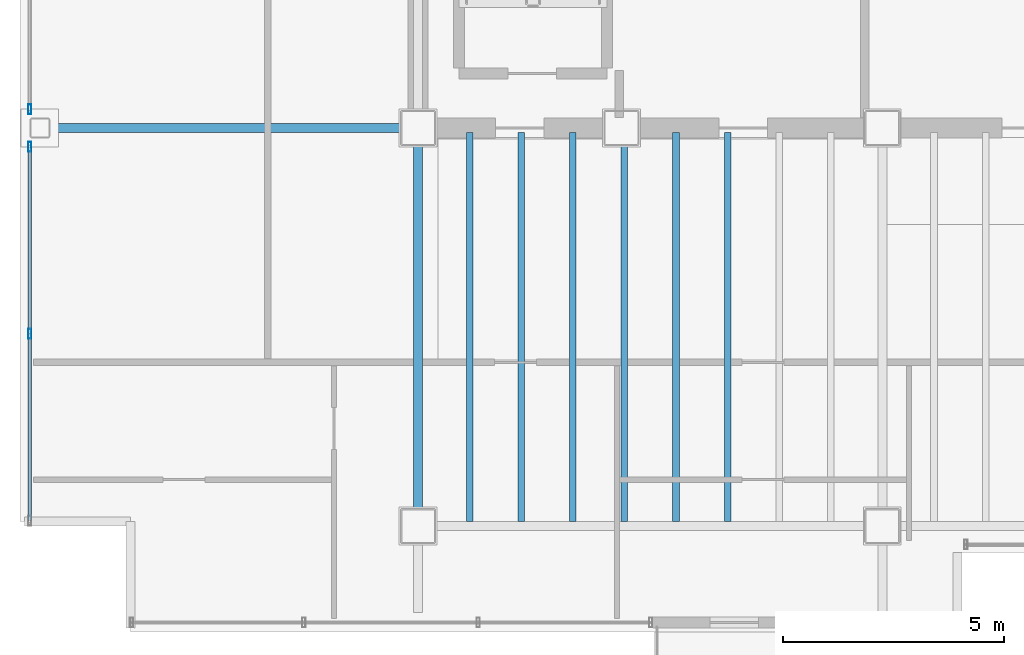
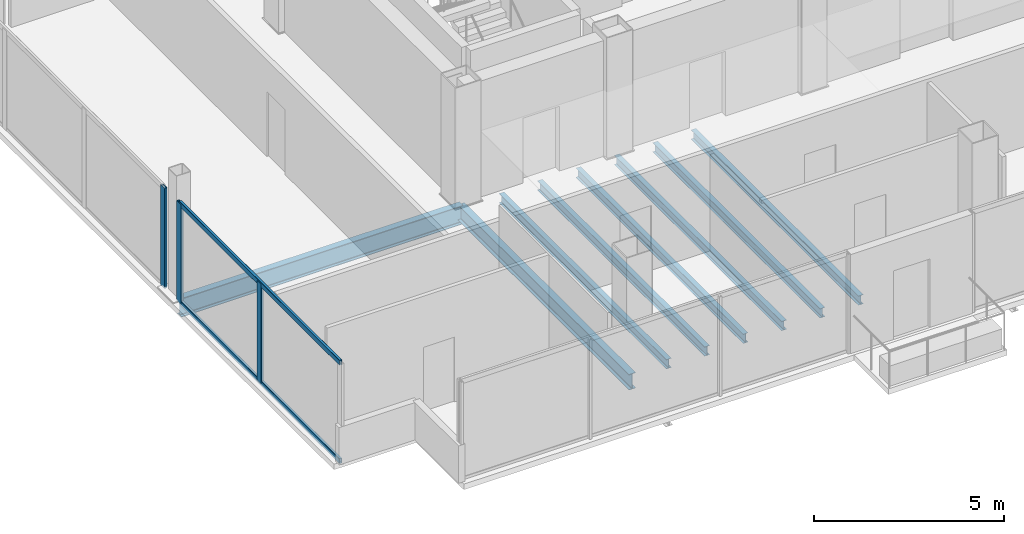
# One storey, part 3 of 16: 8 beams, 5 members, 2 elements without a shape of their own.
"""IFC4 building model written with IfcOpenShell, lengths in metres."""

from ifc_helpers import new_model, si_unit, direction, frame, origin, origin_2d, place, context, subcontext, project, spatial, hollow_rectangle, i_section, extrude, material, material_profile, profile_set, type_object, element, aggregate, save


model = new_model("IFC4")

# Units and contexts
model_context = context("Model", 3, precision=1e-05, world=origin(), true_north=direction((0.0, 1.0)))
body_context = subcontext(model_context, "Body", "Model", "MODEL_VIEW")
ifc_project = project(units=[si_unit("LENGTHUNIT", "METRE"), si_unit("AREAUNIT", "SQUARE_METRE"), si_unit("VOLUMEUNIT", "CUBIC_METRE"), si_unit("PLANEANGLEUNIT", "RADIAN"), si_unit("MASSUNIT", "GRAM", prefix="KILO")], contexts=[model_context])

# Site, building, storey
site_placement = place(None, origin())
site = spatial("IfcSite", under=ifc_project, at=site_placement, CompositionType="ELEMENT")
building_placement = place(site_placement, origin())
building = spatial("IfcBuilding", under=site, at=building_placement, Name="Noeulbin Bourse Tower", CompositionType="ELEMENT")
storey_placement = place(building_placement, frame((0.0, 0.0, 269.60009765625)))
storey = spatial("IfcBuildingStorey", under=building, at=storey_placement, Name="L67", CompositionType="ELEMENT", Elevation=269.60009765625)

# Beams
ifc_material_1 = material(Name="Steel S355", Category="steel")
ifc_material_profile_1 = material_profile(ifc_material_1, i_section(OverallWidth=0.199951171875, OverallDepth=0.5, WebThickness=0.010009765625, FlangeThickness=0.01611328125, FilletRadius=0.02001953125, at=origin_2d()), Name="H-500x200x10x16", Category="LoadBearing")
ifc_profile_set_1 = profile_set([ifc_material_profile_1], Name="Steel S355")
beam_type_1 = type_object("IfcBeamType", Name="BM-GRD-500", PredefinedType="USERDEFINED", material=ifc_profile_set_1)
beam_1_placement = place(storey_placement, frame((13.5, 20.0, -0.43017578125), z_axis=(0.0, 1.0, 0.0), x_axis=(-1.0, 0.0, 0.0)))
element("IfcBeam", 1, at=beam_1_placement, inside=storey, type_object=beam_type_1, Name="Tower Primary Girder NS L67-1.2", ObjectType="GIRDER", PredefinedType="USERDEFINED", context=body_context, shape_type="SweptSolid", body=[
    extrude(i_section(OverallWidth=0.199951171875, OverallDepth=0.5, WebThickness=0.010009765625, FlangeThickness=0.01611328125, FilletRadius=0.02001953125, at=origin_2d()), origin(), (0.0, 0.0, 1.0), 9.0),
])
ifc_material_profile_2 = material_profile(ifc_material_1, i_section(OverallWidth=0.199951171875, OverallDepth=0.60009765625, WebThickness=0.010986328125, FlangeThickness=0.01708984375, FilletRadius=0.02197265625, at=origin_2d()), Name="H-600x200x11x17", Category="LoadBearing")
ifc_profile_set_2 = profile_set([ifc_material_profile_2], Name="Steel S355")
beam_type_2 = type_object("IfcBeamType", Name="BM-GRD-600", PredefinedType="USERDEFINED", material=ifc_profile_set_2)
beam_2_placement = place(storey_placement, frame((4.949951171875, 29.0, -0.47998046875), z_axis=(1.0, 0.0, 0.0), x_axis=(0.0, 1.0, 0.0)))
element("IfcBeam", 2, at=beam_2_placement, inside=storey, type_object=beam_type_2, Name="Tower Primary Girder EW L67-2.1", ObjectType="GIRDER", PredefinedType="USERDEFINED", context=body_context, shape_type="SweptSolid", body=[
    extrude(i_section(OverallWidth=0.199951171875, OverallDepth=0.60009765625, WebThickness=0.010986328125, FlangeThickness=0.01708984375, FilletRadius=0.02197265625, at=origin_2d()), origin(), (0.0, 0.0, 1.0), 8.550048828125),
])
ifc_material_profile_3 = material_profile(ifc_material_1, i_section(OverallWidth=0.14990234375, OverallDepth=0.300048828125, WebThickness=0.006591796875, FlangeThickness=0.009033203125, FilletRadius=0.012939453125, at=origin_2d()), Name="H-300x150x6.5x9", Category="LoadBearing")
ifc_profile_set_3 = profile_set([ifc_material_profile_3], Name="Steel S355")
beam_type_3 = type_object("IfcBeamType", Name="BM-JST-300", PredefinedType="JOIST", material=ifc_profile_set_3)
for number, where, z_axis, x_axis, name in (
    (3, (14.666748046875, 20.10009765625, -0.330078125), (0.0, 1.0, 0.0), (-1.0, 0.0, 0.0), "Tower Composite Joist L67-01"),
    (4, (15.833251953125, 20.10009765625, -0.330078125), (0.0, 1.0, 0.0), (-1.0, 0.0, 0.0), "Tower Composite Joist L67-03"),
    (5, (17.0, 20.10009765625, -0.330078125), (0.0, 1.0, 0.0), (-1.0, 0.0, 0.0), "Tower Composite Joist L67-05"),
    (6, (18.166748046875, 20.10009765625, -0.330078125), (0.0, 1.0, 0.0), (-1.0, 0.0, 0.0), "Tower Composite Joist L67-07"),
    (7, (19.333251953125, 20.10009765625, -0.330078125), (0.0, 1.0, 0.0), (-1.0, 0.0, 0.0), "Tower Composite Joist L67-09"),
    (8, (20.5, 20.10009765625, -0.330078125), (0.0, 1.0, 0.0), (-1.0, 0.0, 0.0), "Tower Composite Joist L67-11"),
):
    element("IfcBeam", number, at=place(storey_placement, frame(where, z_axis=z_axis, x_axis=x_axis)), inside=storey, type_object=beam_type_3, Name=name, PredefinedType="JOIST", context=body_context, shape_type="SweptSolid", body=[
        extrude(i_section(OverallWidth=0.14990234375, OverallDepth=0.300048828125, WebThickness=0.006591796875, FlangeThickness=0.009033203125, FilletRadius=0.012939453125, at=origin_2d()), origin(), (0.0, 0.0, 1.0), 8.7998046875),
    ])

# Curtain wall, members
ifc_material_2 = material(Name="High-Selectivity Low-Iron Glazing", Category="glass")
curtain_wall_type = type_object("IfcCurtainWallType", Name="CW-SYS-4", PredefinedType="NOTDEFINED", material=ifc_material_2)
curtain_wall_1_placement = place(storey_placement, origin())
curtain_wall_1 = element("IfcCurtainWall", 9, at=curtain_wall_1_placement, inside=storey, type_object=curtain_wall_type, Name="Unitised Curtain Wall CW-L67-W-S1", PredefinedType="NOTDEFINED")
ifc_material_3 = material(Name="Anodised Aluminium 6063-T6", Category="aluminium")
ifc_material_profile_4 = material_profile(ifc_material_3, hollow_rectangle(XDim=0.074951171875, YDim=0.219970703125, WallThickness=0.0048828125, InnerFilletRadius=0.00244140625, OuterFilletRadius=0.0048828125, at=origin_2d()), Name="ALU-MULL-75x220x5", Category="LoadBearing")
ifc_profile_set_4 = profile_set([ifc_material_profile_4], Name="Anodised Aluminium 6063-T6")
member_type_1 = type_object("IfcMemberType", Name="CW-SYS-4-MUL", PredefinedType="MULLION", material=ifc_profile_set_4)
member_1_placement = place(storey_placement, frame((4.719970703125, 24.347412109375, -0.02001953125), z_axis=(0.0, 0.0, 1.0), x_axis=(1.0, 0.0, 0.0)))
member_1 = element("IfcMember", 10, at=member_1_placement, type_object=member_type_1, Name="Curtain Wall Mullion CW-L67-W-S1-M01", PredefinedType="MULLION", context=body_context, shape_type="SweptSolid", body=[
    extrude(hollow_rectangle(XDim=0.074951171875, YDim=0.219970703125, WallThickness=0.0048828125, InnerFilletRadius=0.00244140625, OuterFilletRadius=0.0048828125, at=origin_2d()), origin(), (0.0, 0.0, 1.0), 3.219970703125),
])
member_2_placement = place(storey_placement, frame((4.719970703125, 28.574951171875, -0.02001953125), z_axis=(0.0, 0.0, 1.0), x_axis=(1.0, 0.0, 0.0)))
member_2 = element("IfcMember", 11, at=member_2_placement, type_object=member_type_1, Name="Curtain Wall Mullion CW-L67-W-S1-M02", PredefinedType="MULLION", context=body_context, shape_type="SweptSolid", body=[
    extrude(hollow_rectangle(XDim=0.074951171875, YDim=0.219970703125, WallThickness=0.0048828125, InnerFilletRadius=0.00244140625, OuterFilletRadius=0.0048828125, at=origin_2d()), origin(), (0.0, 0.0, 1.0), 3.219970703125),
])

# Curtain wall, member
curtain_wall_2_placement = place(storey_placement, origin())
curtain_wall_2 = element("IfcCurtainWall", 12, at=curtain_wall_2_placement, inside=storey, type_object=curtain_wall_type, Name="Unitised Curtain Wall CW-L67-W-S2", PredefinedType="NOTDEFINED")
member_3_placement = place(storey_placement, frame((4.719970703125, 29.425048828125, -0.02001953125), z_axis=(0.0, 0.0, 1.0), x_axis=(1.0, 0.0, 0.0)))
member_3 = element("IfcMember", 13, at=member_3_placement, type_object=member_type_1, Name="Curtain Wall Mullion CW-L67-W-S2-M00", PredefinedType="MULLION", context=body_context, shape_type="SweptSolid", body=[
    extrude(hollow_rectangle(XDim=0.074951171875, YDim=0.219970703125, WallThickness=0.0048828125, InnerFilletRadius=0.00244140625, OuterFilletRadius=0.0048828125, at=origin_2d()), origin(), (0.0, 0.0, 1.0), 3.219970703125),
])
aggregate(curtain_wall_2, [member_3])

# Member
ifc_material_profile_5 = material_profile(ifc_material_3, hollow_rectangle(XDim=0.074951171875, YDim=0.159912109375, WallThickness=0.0048828125, InnerFilletRadius=0.00244140625, OuterFilletRadius=0.0048828125, at=origin_2d()), Name="ALU-TRAN-75x160x5", Category="LoadBearing")
ifc_profile_set_5 = profile_set([ifc_material_profile_5], Name="Anodised Aluminium 6063-T6")
member_type_2 = type_object("IfcMemberType", Name="CW-SYS-4-TRN", PredefinedType="USERDEFINED", material=ifc_profile_set_5)
member_4_placement = place(storey_placement, frame((4.719970703125, 20.1298828125, 0.010009765625), z_axis=(0.0, 1.0, 0.0), x_axis=(-1.0, 0.0, 0.0)))
member_4 = element("IfcMember", 14, at=member_4_placement, type_object=member_type_2, Name="Curtain Wall Transom CW-L67-W-S1-T00", ObjectType="TRANSOM", PredefinedType="USERDEFINED", context=body_context, shape_type="SweptSolid", body=[
    extrude(hollow_rectangle(XDim=0.074951171875, YDim=0.159912109375, WallThickness=0.0048828125, InnerFilletRadius=0.00244140625, OuterFilletRadius=0.0048828125, at=origin_2d()), origin(), (0.0, 0.0, 1.0), 8.43505859375),
])

member_5_placement = place(storey_placement, frame((4.719970703125, 20.1298828125, 3.169921875), z_axis=(0.0, 1.0, 0.0), x_axis=(-1.0, 0.0, 0.0)))
member_5 = element("IfcMember", 15, at=member_5_placement, type_object=member_type_2, Name="Curtain Wall Transom CW-L67-W-S1-T01", ObjectType="TRANSOM", PredefinedType="USERDEFINED", context=body_context, shape_type="SweptSolid", body=[
    extrude(hollow_rectangle(XDim=0.074951171875, YDim=0.159912109375, WallThickness=0.0048828125, InnerFilletRadius=0.00244140625, OuterFilletRadius=0.0048828125, at=origin_2d()), origin(), (0.0, 0.0, 1.0), 8.43505859375),
])

aggregate(curtain_wall_1, [member_1, member_2, member_4, member_5])

save(model, "model.ifc")
